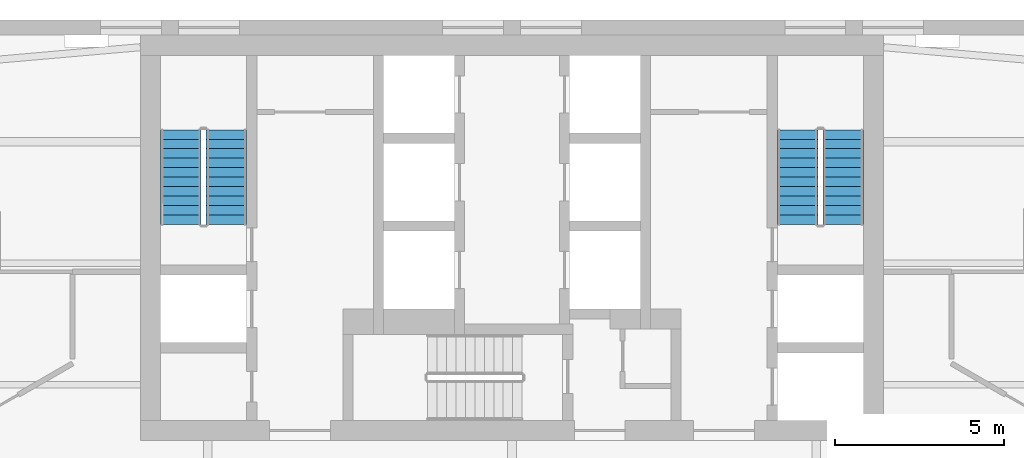
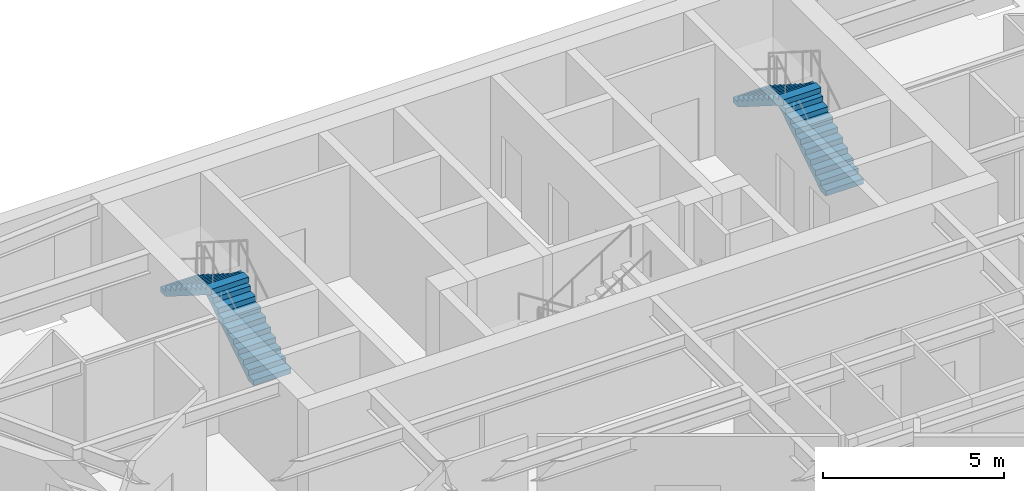
# One storey, part 6 of 7: 4 stair flights, 2 elements without a shape of their own.
"""IFC4 building model written with IfcOpenShell, lengths in metres."""

from ifc_helpers import new_model, si_unit, direction, frame, origin, place, context, subcontext, project, spatial, polyline, outline, extrude, material, type_object, element, aggregate, save


model = new_model("IFC4")

# Units and contexts
model_context = context("Model", 3, precision=1e-05, world=origin(), true_north=direction((0.0, 1.0)))
body_context = subcontext(model_context, "Body", "Model", "MODEL_VIEW")
ifc_project = project(units=[si_unit("LENGTHUNIT", "METRE"), si_unit("AREAUNIT", "SQUARE_METRE"), si_unit("VOLUMEUNIT", "CUBIC_METRE"), si_unit("PLANEANGLEUNIT", "RADIAN"), si_unit("MASSUNIT", "GRAM", prefix="KILO")], contexts=[model_context])

# Site, building, storey
site_placement = place(None, origin())
site = spatial("IfcSite", under=ifc_project, at=site_placement, CompositionType="ELEMENT")
building_placement = place(site_placement, origin())
building = spatial("IfcBuilding", under=site, at=building_placement, Name="Aloe Facet Convention Tower", CompositionType="ELEMENT")
storey_placement = place(building_placement, frame((0.0, 0.0, 148.10009765625)))
storey = spatial("IfcBuildingStorey", under=building, at=storey_placement, Name="L37", CompositionType="ELEMENT", Elevation=148.10009765625)

# Stair, stair flights
ifc_material_1 = material(Name="Concrete C50/60", Category="concrete")
stair_type = type_object("IfcStairType", Name="CR-ST-22R", PredefinedType="HALF_TURN_STAIR", material=ifc_material_1)
stair_1_placement = place(storey_placement, origin())
stair_1 = element("IfcStair", 1, at=stair_1_placement, inside=storey, type_object=stair_type, Name="L37 Protected exit stair ST1", PredefinedType="HALF_TURN_STAIR")
ifc_material_2 = material(Name="Concrete C50/60", Category="concrete")
stair_flight_type = type_object("IfcStairFlightType", Name="CR-SFL-22R", PredefinedType="STRAIGHT", material=ifc_material_2)
stair_flight_1_placement = place(storey_placement, frame((71.550048828125, 128.949951171875, 0.0), z_axis=(0.0, 0.0, 1.0), x_axis=(0.0, 1.0, 0.0)))
stair_flight_1 = element("IfcStairFlight", 2, at=stair_flight_1_placement, type_object=stair_flight_type, Name="ST1 flight 1", NumberOfRisers=11, NumberOfTreads=10, PredefinedType="STRAIGHT", RiserHeight=0.177272727, TreadLength=0.28, context=body_context, shape_type="SweptSolid", body=[
    extrude(outline(polyline([(0.0, 0.0), (0.0, 0.17724609375), (0.280029296875, 0.17724609375), (0.280029296875, 0.3544921875), (0.56005859375, 0.3544921875), (0.56005859375, 0.53173828125), (0.840087890625, 0.53173828125), (0.840087890625, 0.708984375), (1.1201171875, 0.708984375), (1.1201171875, 0.886474609375), (1.39990234375, 0.886474609375), (1.39990234375, 1.063720703125), (1.679931640625, 1.063720703125), (1.679931640625, 1.240966796875), (1.9599609375, 1.240966796875), (1.9599609375, 1.418212890625), (2.239990234375, 1.418212890625), (2.239990234375, 1.595458984375), (2.52001953125, 1.595458984375), (2.52001953125, 1.772705078125), (2.800048828125, 1.772705078125), (2.800048828125, 1.949951171875), (2.800048828125, 1.59521484375), (0.2802734375, 0.0), (0.0, 0.0)])), frame((0.0, 0.60009765625, 0.0), z_axis=(0.0, -1.0, 0.0), x_axis=(1.0, 0.0, 0.0)), (0.0, 0.0, 1.0), 1.199951171875),
])
stair_flight_2_placement = place(storey_placement, frame((70.199951171875, 131.75, 1.949951171875), z_axis=(0.0, 0.0, 1.0), x_axis=(0.0, -1.0, 0.0)))
stair_flight_2 = element("IfcStairFlight", 3, at=stair_flight_2_placement, type_object=stair_flight_type, Name="ST1 flight 2", NumberOfRisers=11, NumberOfTreads=10, PredefinedType="STRAIGHT", RiserHeight=0.177272727, TreadLength=0.28, context=body_context, shape_type="SweptSolid", body=[
    extrude(outline(polyline([(0.0, 0.0), (0.0, 0.17724609375), (0.280029296875, 0.17724609375), (0.280029296875, 0.3544921875), (0.56005859375, 0.3544921875), (0.56005859375, 0.53173828125), (0.840087890625, 0.53173828125), (0.840087890625, 0.708984375), (1.1201171875, 0.708984375), (1.1201171875, 0.886474609375), (1.39990234375, 0.886474609375), (1.39990234375, 1.063720703125), (1.679931640625, 1.063720703125), (1.679931640625, 1.240966796875), (1.9599609375, 1.240966796875), (1.9599609375, 1.418212890625), (2.239990234375, 1.418212890625), (2.239990234375, 1.595458984375), (2.52001953125, 1.595458984375), (2.52001953125, 1.772705078125), (2.800048828125, 1.772705078125), (2.800048828125, 1.949951171875), (2.800048828125, 1.59521484375), (0.2802734375, 0.0), (0.0, 0.0)])), frame((0.0, 0.60009765625, 0.0), z_axis=(0.0, -1.0, 0.0), x_axis=(1.0, 0.0, 0.0)), (0.0, 0.0, 1.0), 1.199951171875),
])
aggregate(stair_1, [stair_flight_1, stair_flight_2])

stair_2_placement = place(storey_placement, origin())
stair_2 = element("IfcStair", 4, at=stair_2_placement, inside=storey, type_object=stair_type, Name="L37 Protected exit stair ST2", PredefinedType="HALF_TURN_STAIR")
stair_flight_3_placement = place(storey_placement, frame((89.800048828125, 128.949951171875, 0.0), z_axis=(0.0, 0.0, 1.0), x_axis=(0.0, 1.0, 0.0)))
stair_flight_3 = element("IfcStairFlight", 5, at=stair_flight_3_placement, type_object=stair_flight_type, Name="ST2 flight 1", NumberOfRisers=11, NumberOfTreads=10, PredefinedType="STRAIGHT", RiserHeight=0.177272727, TreadLength=0.28, context=body_context, shape_type="SweptSolid", body=[
    extrude(outline(polyline([(0.0, 0.0), (0.0, 0.17724609375), (0.280029296875, 0.17724609375), (0.280029296875, 0.3544921875), (0.56005859375, 0.3544921875), (0.56005859375, 0.53173828125), (0.840087890625, 0.53173828125), (0.840087890625, 0.708984375), (1.1201171875, 0.708984375), (1.1201171875, 0.886474609375), (1.39990234375, 0.886474609375), (1.39990234375, 1.063720703125), (1.679931640625, 1.063720703125), (1.679931640625, 1.240966796875), (1.9599609375, 1.240966796875), (1.9599609375, 1.418212890625), (2.239990234375, 1.418212890625), (2.239990234375, 1.595458984375), (2.52001953125, 1.595458984375), (2.52001953125, 1.772705078125), (2.800048828125, 1.772705078125), (2.800048828125, 1.949951171875), (2.800048828125, 1.59521484375), (0.2802734375, 0.0), (0.0, 0.0)])), frame((0.0, 0.60009765625, 0.0), z_axis=(0.0, -1.0, 0.0), x_axis=(1.0, 0.0, 0.0)), (0.0, 0.0, 1.0), 1.199951171875),
])
stair_flight_4_placement = place(storey_placement, frame((88.449951171875, 131.75, 1.949951171875), z_axis=(0.0, 0.0, 1.0), x_axis=(0.0, -1.0, 0.0)))
stair_flight_4 = element("IfcStairFlight", 6, at=stair_flight_4_placement, type_object=stair_flight_type, Name="ST2 flight 2", NumberOfRisers=11, NumberOfTreads=10, PredefinedType="STRAIGHT", RiserHeight=0.177272727, TreadLength=0.28, context=body_context, shape_type="SweptSolid", body=[
    extrude(outline(polyline([(0.0, 0.0), (0.0, 0.17724609375), (0.280029296875, 0.17724609375), (0.280029296875, 0.3544921875), (0.56005859375, 0.3544921875), (0.56005859375, 0.53173828125), (0.840087890625, 0.53173828125), (0.840087890625, 0.708984375), (1.1201171875, 0.708984375), (1.1201171875, 0.886474609375), (1.39990234375, 0.886474609375), (1.39990234375, 1.063720703125), (1.679931640625, 1.063720703125), (1.679931640625, 1.240966796875), (1.9599609375, 1.240966796875), (1.9599609375, 1.418212890625), (2.239990234375, 1.418212890625), (2.239990234375, 1.595458984375), (2.52001953125, 1.595458984375), (2.52001953125, 1.772705078125), (2.800048828125, 1.772705078125), (2.800048828125, 1.949951171875), (2.800048828125, 1.59521484375), (0.2802734375, 0.0), (0.0, 0.0)])), frame((0.0, 0.60009765625, 0.0), z_axis=(0.0, -1.0, 0.0), x_axis=(1.0, 0.0, 0.0)), (0.0, 0.0, 1.0), 1.199951171875),
])
aggregate(stair_2, [stair_flight_3, stair_flight_4])

save(model, "model.ifc")
